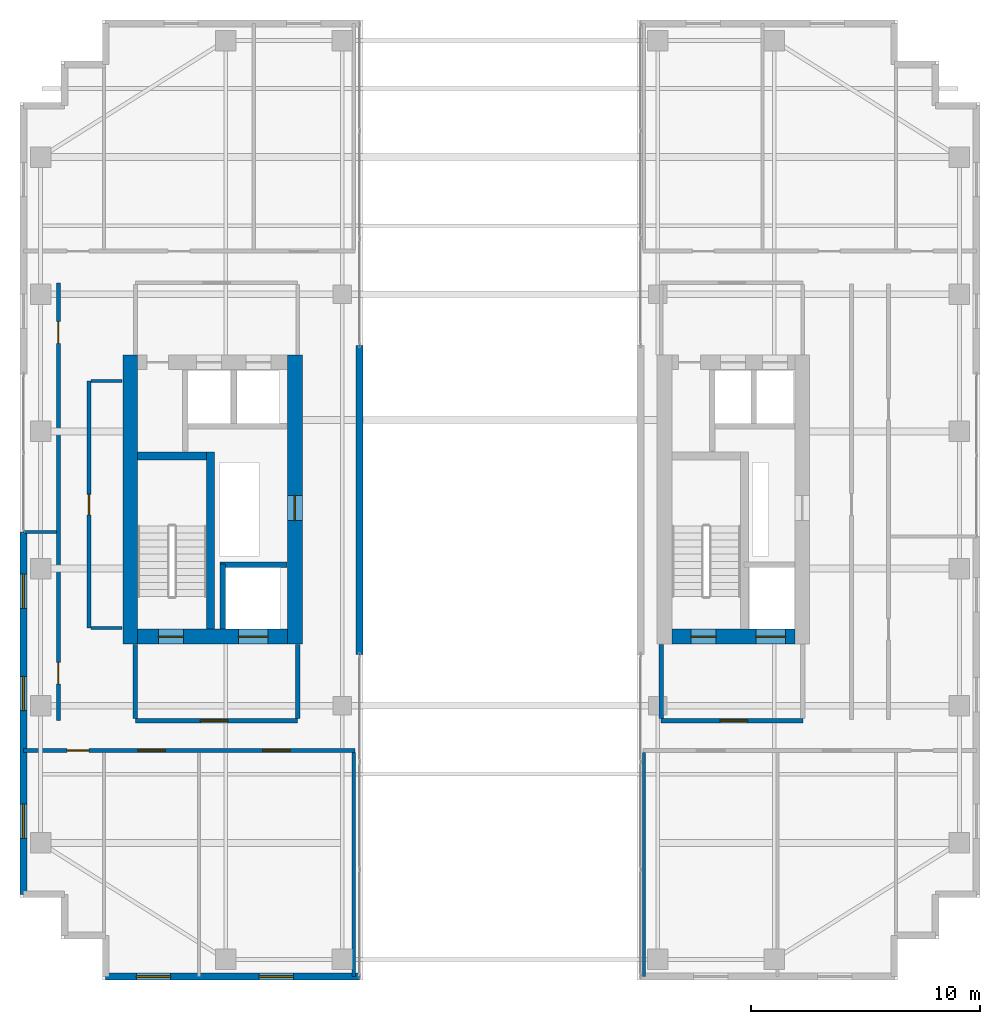
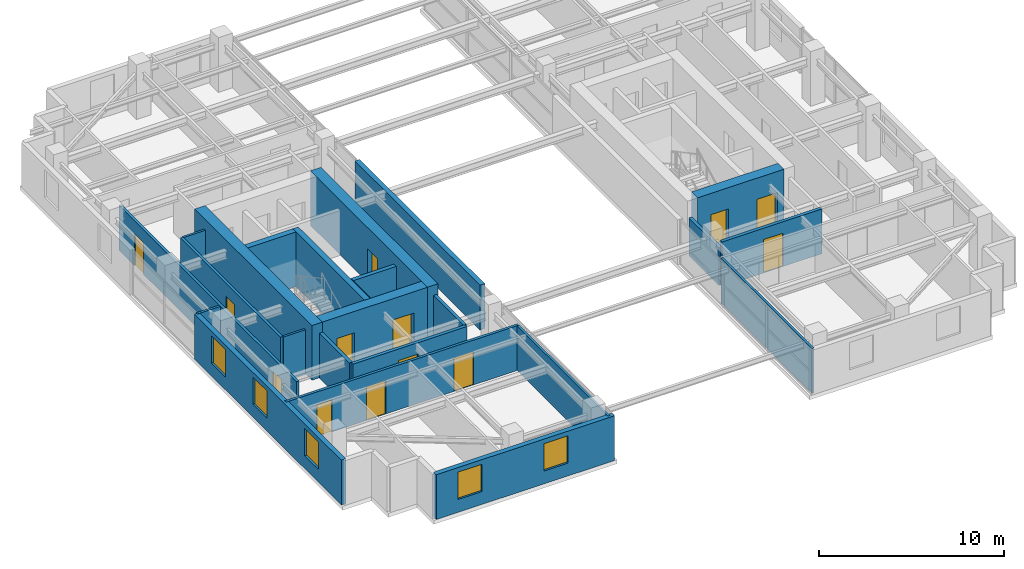
# One storey, part 17 of 21: 24 walls, 13 doors, 5 windows, 18 openings.
"""IFC4 building model written with IfcOpenShell, lengths in metres."""

from ifc_helpers import new_model, si_unit, direction, frame, frame_2d, origin, place, context, subcontext, project, spatial, rectangle, extrude, source, transform, mapped, material, layer, layer_set, type_object, element, fill, save


model = new_model("IFC4")

# Units and contexts
model_context = context("Model", 3, precision=1e-05, world=origin(), true_north=direction((0.0, 1.0)))
body_context = subcontext(model_context, "Body", "Model", "MODEL_VIEW")
ifc_project = project(units=[si_unit("LENGTHUNIT", "METRE"), si_unit("AREAUNIT", "SQUARE_METRE"), si_unit("VOLUMEUNIT", "CUBIC_METRE"), si_unit("PLANEANGLEUNIT", "RADIAN"), si_unit("MASSUNIT", "GRAM", prefix="KILO")], contexts=[model_context])

# Site, building, storey
site_placement = place(None, origin())
site = spatial("IfcSite", under=ifc_project, at=site_placement, CompositionType="ELEMENT")
building_placement = place(site_placement, origin())
building = spatial("IfcBuilding", under=site, at=building_placement, Name="Khoralis Quay Care Tower", CompositionType="ELEMENT")
storey_placement = place(building_placement, frame((0.0, 0.0, 213.300048828125)))
storey = spatial("IfcBuildingStorey", under=building, at=storey_placement, Name="L56", CompositionType="ELEMENT", Elevation=213.300048828125)

# Wall, opening, door
ifc_material_1 = material(Name="Gypsum plasterboard on acoustic metal stud")
ifc_layer_1 = layer(ifc_material_1, 0.199951171875)
ifc_layer_set_1 = layer_set([ifc_layer_1], Name="Gypsum plasterboard on acoustic metal stud")
wall_type_1 = type_object("IfcWallType", Name="WL-COMP-200", PredefinedType="PARTITIONING", material=ifc_layer_set_1)
wall_1_placement = place(storey_placement, frame((8.050048828125, 11.35009765625, 0.0), z_axis=(0.0, 0.0, 1.0), x_axis=(1.0, 0.0, 0.0)))
wall_1 = element("IfcWall", 1, at=wall_1_placement, inside=storey, type_object=wall_type_1, Name="L56 West Firefighting Lobby South Wall", PredefinedType="PARTITIONING", context=body_context, shape_type="SweptSolid", body=[
    extrude(rectangle(XDim=7.099853515625, YDim=0.199951171875, at=frame_2d((3.5498046875, 0.0))), origin(), (0.0, 0.0, 1.0), 2.949951171875),
])
opening_1_placement = place(wall_1_placement, frame((2.846435546875, 0.0, 0.0)))
opening_1 = element("IfcOpeningElement", 2, at=opening_1_placement, cuts=wall_1, Name="Opening FD1", PredefinedType="OPENING", context=body_context, shape_type="SweptSolid", body=[
    extrude(rectangle(XDim=1.199951171875, YDim=2.199951171875, at=frame_2d((0.60009765625, 1.10009765625))), frame((0.0, 0.10986328125, 0.0), z_axis=(0.0, -1.0, 0.0), x_axis=(1.0, 0.0, 0.0)), (0.0, 0.0, 1.0), 0.219970703125),
])
ifc_material_2 = material(Name="Fire-rated painted steel", Category="steel")
door_type_1 = type_object("IfcDoorType", Name="DR-FFL-1200X2200", OperationType="NOTDEFINED", PredefinedType="DOOR", material=ifc_material_2)
shared_shape_1 = source(origin(), body_context, "Body", "SweptSolid", [
    extrude(rectangle(XDim=1.199951171875, YDim=2.199951171875, at=frame_2d((0.60009765625, 1.10009765625))), frame((0.0, 0.02490234375, 0.0), z_axis=(0.0, -1.0, 0.0), x_axis=(1.0, 0.0, 0.0)), (0.0, 0.0, 1.0), 0.050048828125),
])
door_1_placement = place(opening_1_placement, origin())
door_1 = element("IfcDoor", 3, at=door_1_placement, inside=storey, type_object=door_type_1, Name="L56 West Firefighting Lobby Fire Door", OperationType="SINGLE_SWING_RIGHT", OverallHeight=2.199951171875, OverallWidth=1.199951171875, PredefinedType="DOOR", context=body_context, shape_type="MappedRepresentation", body=[
    mapped(shared_shape_1, transform((0.0, 0.0, 0.0), scale=1.0)),
])
fill(opening_1, door_1)

# Walls
for number, where, z_axis, x_axis, name in (
    (4, (8.050048828125, 11.445068359375, 0.0), (0.0, 0.0, 1.0), (0.0, 1.0, 0.0), "L56 West Firefighting Lobby West Wall"),
    (5, (15.14990234375, 11.445068359375, 0.0), (0.0, 0.0, 1.0), (0.0, 1.0, 0.0), "L56 West Firefighting Lobby East Wall"),
):
    element("IfcWall", number, at=place(storey_placement, frame(where, z_axis=z_axis, x_axis=x_axis)), inside=storey, type_object=wall_type_1, Name=name, PredefinedType="PARTITIONING", context=body_context, shape_type="SweptSolid", body=[
        extrude(rectangle(XDim=3.23486328125, YDim=0.199951171875, at=frame_2d((1.617431640625, 0.0))), origin(), (0.0, 0.0, 1.0), 2.949951171875),
    ])

# Wall, opening, door
wall_2_placement = place(storey_placement, frame((31.050048828125, 11.35009765625, 0.0), z_axis=(0.0, 0.0, 1.0), x_axis=(1.0, 0.0, 0.0)))
wall_2 = element("IfcWall", 6, at=wall_2_placement, inside=storey, type_object=wall_type_1, Name="L56 East Firefighting Lobby South Wall", PredefinedType="PARTITIONING", context=body_context, shape_type="SweptSolid", body=[
    extrude(rectangle(XDim=6.199951171875, YDim=0.199951171875, at=frame_2d((3.10009765625, 0.0))), origin(), (0.0, 0.0, 1.0), 2.949951171875),
])
opening_2_placement = place(wall_2_placement, frame((2.585693359375, 0.0, 0.0)))
opening_2 = element("IfcOpeningElement", 7, at=opening_2_placement, cuts=wall_2, Name="Opening FD1", PredefinedType="OPENING", context=body_context, shape_type="SweptSolid", body=[
    extrude(rectangle(XDim=1.199951171875, YDim=2.199951171875, at=frame_2d((0.60009765625, 1.10009765625))), frame((0.0, 0.10986328125, 0.0), z_axis=(0.0, -1.0, 0.0), x_axis=(1.0, 0.0, 0.0)), (0.0, 0.0, 1.0), 0.219970703125),
])
door_2_placement = place(opening_2_placement, origin())
door_2 = element("IfcDoor", 8, at=door_2_placement, inside=storey, type_object=door_type_1, Name="L56 East Firefighting Lobby Fire Door", OperationType="SINGLE_SWING_LEFT", OverallHeight=2.199951171875, OverallWidth=1.199951171875, PredefinedType="DOOR", context=body_context, shape_type="MappedRepresentation", body=[
    mapped(shared_shape_1, transform((0.0, 0.0, 0.0), scale=1.0)),
])
fill(opening_2, door_2)

# Walls
wall_3_placement = place(storey_placement, frame((31.050048828125, 11.445068359375, 0.0), z_axis=(0.0, 0.0, 1.0), x_axis=(0.0, 1.0, 0.0)))
element("IfcWall", 9, at=wall_3_placement, inside=storey, type_object=wall_type_1, Name="L56 East Firefighting Lobby West Wall", PredefinedType="PARTITIONING", context=body_context, shape_type="SweptSolid", body=[
    extrude(rectangle(XDim=3.23486328125, YDim=0.199951171875, at=frame_2d((1.617431640625, 0.0))), origin(), (0.0, 0.0, 1.0), 2.490966796875),
])
ifc_material_3 = material(Name="Concrete C65/80", Category="concrete")
ifc_layer_2 = layer(ifc_material_3, 0.64990234375)
ifc_layer_set_2 = layer_set([ifc_layer_2], Name="Concrete C65/80")
wall_type_2 = type_object("IfcWallType", Name="WL-CORE-650", PredefinedType="SHEAR", material=ifc_layer_set_2)
wall_4_placement = place(storey_placement, frame((7.824951171875, 14.699951171875, 0.0), z_axis=(0.0, 0.0, 1.0), x_axis=(0.0, 1.0, 0.0)))
element("IfcWall", 10, at=wall_4_placement, inside=storey, type_object=wall_type_2, Name="L56 WCORE West Shear Wall", PredefinedType="SHEAR", context=body_context, shape_type="SweptSolid", body=[
    extrude(rectangle(XDim=12.650146484375, YDim=0.64990234375, at=frame_2d((6.3251953125, 0.0))), origin(), (0.0, 0.0, 1.0), 3.599853515625),
])

# Wall, opening, door
wall_5_placement = place(storey_placement, frame((15.02490234375, 14.699951171875, 0.0), z_axis=(0.0, 0.0, 1.0), x_axis=(0.0, 1.0, 0.0)))
wall_5 = element("IfcWall", 11, at=wall_5_placement, inside=storey, type_object=wall_type_2, Name="L56 WCORE East Shear Wall", PredefinedType="SHEAR", context=body_context, shape_type="SweptSolid", body=[
    extrude(rectangle(XDim=12.650146484375, YDim=0.64990234375, at=frame_2d((6.3251953125, 0.0))), origin(), (0.0, 0.0, 1.0), 3.599853515625),
])
opening_3_placement = place(wall_5_placement, frame((5.39990234375, 0.0, 0.0)))
opening_3 = element("IfcOpeningElement", 12, at=opening_3_placement, cuts=wall_5, Name="Opening SD1", PredefinedType="OPENING", context=body_context, shape_type="SweptSolid", body=[
    extrude(rectangle(XDim=1.10009765625, YDim=2.199951171875, at=frame_2d((0.550048828125, 1.10009765625))), frame((0.0, 0.3349609375, 0.0), z_axis=(0.0, -1.0, 0.0), x_axis=(1.0, 0.0, 0.0)), (0.0, 0.0, 1.0), 0.669921875),
])
door_type_2 = type_object("IfcDoorType", Name="DR-STAIR-1100X2200", OperationType="NOTDEFINED", PredefinedType="DOOR", material=ifc_material_2)
shared_shape_2 = source(origin(), body_context, "Body", "SweptSolid", [
    extrude(rectangle(XDim=1.10009765625, YDim=2.199951171875, at=frame_2d((0.550048828125, 1.10009765625))), frame((0.0, 0.02490234375, 0.0), z_axis=(0.0, -1.0, 0.0), x_axis=(1.0, 0.0, 0.0)), (0.0, 0.0, 1.0), 0.050048828125),
])
door_3_placement = place(opening_3_placement, origin())
door_3 = element("IfcDoor", 13, at=door_3_placement, inside=storey, type_object=door_type_2, Name="L56 West MEP Riser Door", OperationType="SINGLE_SWING_RIGHT", OverallHeight=2.199951171875, OverallWidth=1.10009765625, PredefinedType="DOOR", context=body_context, shape_type="MappedRepresentation", body=[
    mapped(shared_shape_2, transform((0.0, 0.0, 0.0), scale=1.0)),
])
fill(opening_3, door_3)

# Wall, openings, doors
wall_6_placement = place(storey_placement, frame((8.14990234375, 15.02490234375, 0.0), z_axis=(0.0, 0.0, 1.0), x_axis=(1.0, 0.0, 0.0)))
wall_6 = element("IfcWall", 14, at=wall_6_placement, inside=storey, type_object=wall_type_2, Name="L56 WCORE South Shear Wall", PredefinedType="SHEAR", context=body_context, shape_type="SweptSolid", body=[
    extrude(rectangle(XDim=6.550048828125, YDim=0.64990234375, at=frame_2d((3.27490234375, 0.0))), origin(), (0.0, 0.0, 1.0), 3.599853515625),
])
opening_4_placement = place(wall_6_placement, frame((0.89990234375, 0.0, 0.0)))
opening_4 = element("IfcOpeningElement", 15, at=opening_4_placement, cuts=wall_6, Name="Opening SD1", PredefinedType="OPENING", context=body_context, shape_type="SweptSolid", body=[
    extrude(rectangle(XDim=1.10009765625, YDim=2.199951171875, at=frame_2d((0.550048828125, 1.10009765625))), frame((0.0, 0.3349609375, 0.0), z_axis=(0.0, -1.0, 0.0), x_axis=(1.0, 0.0, 0.0)), (0.0, 0.0, 1.0), 0.669921875),
])
opening_5_placement = place(wall_6_placement, frame((4.39990234375, 0.0, 0.0)))
opening_5 = element("IfcOpeningElement", 16, at=opening_5_placement, cuts=wall_6, Name="Opening LD2", PredefinedType="OPENING", context=body_context, shape_type="SweptSolid", body=[
    extrude(rectangle(XDim=1.300048828125, YDim=2.199951171875, at=frame_2d((0.64990234375, 1.10009765625))), frame((0.0, 0.3349609375, 0.0), z_axis=(0.0, -1.0, 0.0), x_axis=(1.0, 0.0, 0.0)), (0.0, 0.0, 1.0), 0.669921875),
])
door_4_placement = place(opening_4_placement, origin())
door_4 = element("IfcDoor", 17, at=door_4_placement, inside=storey, type_object=door_type_2, Name="L56 Stair ST-T1 Fire Door", OperationType="SINGLE_SWING_RIGHT", OverallHeight=2.199951171875, OverallWidth=1.10009765625, PredefinedType="DOOR", context=body_context, shape_type="MappedRepresentation", body=[
    mapped(shared_shape_2, transform((0.0, 0.0, 0.0), scale=1.0)),
])
fill(opening_4, door_4)
ifc_material_4 = material(Name="Brushed stainless steel", Category="steel")
door_type_3 = type_object("IfcDoorType", Name="DR-LIFT-1300X2200", OperationType="SLIDING_TO_RIGHT", PredefinedType="DOOR", material=ifc_material_4)
shared_shape_3 = source(origin(), body_context, "Body", "SweptSolid", [
    extrude(rectangle(XDim=1.300048828125, YDim=2.199951171875, at=frame_2d((0.64990234375, 1.10009765625))), frame((0.0, 0.02490234375, 0.0), z_axis=(0.0, -1.0, 0.0), x_axis=(1.0, 0.0, 0.0)), (0.0, 0.0, 1.0), 0.050048828125),
])
door_5_placement = place(opening_5_placement, origin())
door_5 = element("IfcDoor", 18, at=door_5_placement, inside=storey, type_object=door_type_3, Name="L56 Firefighting Lift FFL-1 Landing Door", OperationType="SLIDING_TO_RIGHT", OverallHeight=2.199951171875, OverallWidth=1.300048828125, PredefinedType="DOOR", context=body_context, shape_type="MappedRepresentation", body=[
    mapped(shared_shape_3, transform((0.0, 0.0, 0.0), scale=1.0)),
])
fill(opening_5, door_5)

wall_7_placement = place(storey_placement, frame((31.52001953125, 15.02490234375, 0.0), z_axis=(0.0, 0.0, 1.0), x_axis=(1.0, 0.0, 0.0)))
wall_7 = element("IfcWall", 19, at=wall_7_placement, inside=storey, type_object=wall_type_2, Name="L56 ECORE South Shear Wall", PredefinedType="SHEAR", context=body_context, shape_type="SweptSolid", body=[
    extrude(rectangle(XDim=5.3798828125, YDim=0.64990234375, at=frame_2d((2.68994140625, 0.0))), origin(), (0.0, 0.0, 1.0), 3.599853515625),
])
opening_6_placement = place(wall_7_placement, frame((0.830078125, 0.0, 0.0)))
opening_6 = element("IfcOpeningElement", 20, at=opening_6_placement, cuts=wall_7, Name="Opening SD1", PredefinedType="OPENING", context=body_context, shape_type="SweptSolid", body=[
    extrude(rectangle(XDim=1.10009765625, YDim=2.199951171875, at=frame_2d((0.550048828125, 1.10009765625))), frame((0.0, 0.3349609375, 0.0), z_axis=(0.0, -1.0, 0.0), x_axis=(1.0, 0.0, 0.0)), (0.0, 0.0, 1.0), 0.669921875),
])
opening_7_placement = place(wall_7_placement, frame((3.679931640625, 0.0, 0.0)))
opening_7 = element("IfcOpeningElement", 21, at=opening_7_placement, cuts=wall_7, Name="Opening LD2", PredefinedType="OPENING", context=body_context, shape_type="SweptSolid", body=[
    extrude(rectangle(XDim=1.300048828125, YDim=2.199951171875, at=frame_2d((0.64990234375, 1.10009765625))), frame((0.0, 0.3349609375, 0.0), z_axis=(0.0, -1.0, 0.0), x_axis=(1.0, 0.0, 0.0)), (0.0, 0.0, 1.0), 0.669921875),
])
door_6_placement = place(opening_6_placement, origin())
door_6 = element("IfcDoor", 22, at=door_6_placement, inside=storey, type_object=door_type_2, Name="L56 Stair ST-T2 Fire Door", OperationType="SINGLE_SWING_LEFT", OverallHeight=2.199951171875, OverallWidth=1.10009765625, PredefinedType="DOOR", context=body_context, shape_type="MappedRepresentation", body=[
    mapped(shared_shape_2, transform((0.0, 0.0, 0.0), scale=1.0)),
])
fill(opening_6, door_6)
door_7_placement = place(opening_7_placement, origin())
door_7 = element("IfcDoor", 23, at=door_7_placement, inside=storey, type_object=door_type_3, Name="L56 Firefighting Lift FFL-2 Landing Door", OperationType="SLIDING_TO_RIGHT", OverallHeight=2.199951171875, OverallWidth=1.300048828125, PredefinedType="DOOR", context=body_context, shape_type="MappedRepresentation", body=[
    mapped(shared_shape_3, transform((0.0, 0.0, 0.0), scale=1.0)),
])
fill(opening_7, door_7)

# Wall, opening, door
ifc_layer_3 = layer(ifc_material_1, 0.1650390625)
ifc_layer_set_3 = layer_set([ifc_layer_3], Name="Gypsum plasterboard on acoustic metal stud")
wall_type_3 = type_object("IfcWallType", Name="WL-CORR-165", PredefinedType="PARTITIONING", material=ifc_layer_set_3)
wall_8_placement = place(storey_placement, frame((6.02001953125, 15.39990234375, 0.0), z_axis=(0.0, 0.0, 1.0), x_axis=(0.0, 1.0, 0.0)))
wall_8 = element("IfcWall", 24, at=wall_8_placement, inside=storey, type_object=wall_type_3, Name="L56 West Core Service Flank Wall", PredefinedType="PARTITIONING", context=body_context, shape_type="SweptSolid", body=[
    extrude(rectangle(XDim=10.800048828125, YDim=0.1650390625, at=frame_2d((5.39990234375, 0.0))), origin(), (0.0, 0.0, 1.0), 2.949951171875),
])
opening_8_placement = place(wall_8_placement, frame((4.949951171875, 0.0, 0.0)))
opening_8 = element("IfcOpeningElement", 25, at=opening_8_placement, cuts=wall_8, Name="Opening WD1", PredefinedType="OPENING", context=body_context, shape_type="SweptSolid", body=[
    extrude(rectangle(XDim=0.89990234375, YDim=2.10009765625, at=frame_2d((0.449951171875, 1.050048828125))), frame((0.0, 0.092529296875, 0.0), z_axis=(0.0, -1.0, 0.0), x_axis=(1.0, 0.0, 0.0)), (0.0, 0.0, 1.0), 0.18505859375),
])
ifc_material_5 = material(Name="Acoustic hardwood timber", Category="wood")
door_type_4 = type_object("IfcDoorType", Name="DR-BATH-900X2100", OperationType="NOTDEFINED", PredefinedType="DOOR", material=ifc_material_5)
shared_shape_4 = source(origin(), body_context, "Body", "SweptSolid", [
    extrude(rectangle(XDim=0.89990234375, YDim=2.10009765625, at=frame_2d((0.449951171875, 1.050048828125))), frame((0.0, 0.02490234375, 0.0), z_axis=(0.0, -1.0, 0.0), x_axis=(1.0, 0.0, 0.0)), (0.0, 0.0, 1.0), 0.050048828125),
])
door_8_placement = place(opening_8_placement, frame((0.89990234375, 0.0, 0.0), z_axis=(0.0, 0.0, 1.0), x_axis=(-1.0, 0.0, 0.0)))
door_8 = element("IfcDoor", 26, at=door_8_placement, inside=storey, type_object=door_type_4, Name="L56 Housekeeping & Public Accessible WC Door", OperationType="SINGLE_SWING_LEFT", OverallHeight=2.10009765625, OverallWidth=0.89990234375, PredefinedType="DOOR", context=body_context, shape_type="MappedRepresentation", body=[
    mapped(shared_shape_4, transform((0.0, 0.0, 0.0), scale=1.0)),
])
fill(opening_8, door_8)

# Wall, openings, doors
wall_9_placement = place(storey_placement, frame((3.14501953125, 10.0400390625, 0.0), z_axis=(0.0, 0.0, 1.0), x_axis=(1.0, 0.0, 0.0)))
wall_9 = element("IfcWall", 27, at=wall_9_placement, inside=storey, type_object=wall_type_3, Name="L56 West Wing South Corridor Wall", PredefinedType="PARTITIONING", context=body_context, shape_type="SweptSolid", body=[
    extrude(rectangle(XDim=14.5048828125, YDim=0.1650390625, at=frame_2d((7.25244140625, 0.0))), origin(), (0.0, 0.0, 1.0), 2.949951171875),
])
opening_9_placement = place(wall_9_placement, frame((5.010009765625, 0.0, 0.0)))
opening_9 = element("IfcOpeningElement", 28, at=opening_9_placement, cuts=wall_9, Name="Opening FD1", PredefinedType="OPENING", context=body_context, shape_type="SweptSolid", body=[
    extrude(rectangle(XDim=1.199951171875, YDim=2.199951171875, at=frame_2d((0.60009765625, 1.10009765625))), frame((0.0, 0.092529296875, 0.0), z_axis=(0.0, -1.0, 0.0), x_axis=(1.0, 0.0, 0.0)), (0.0, 0.0, 1.0), 0.18505859375),
])
opening_10_placement = place(wall_9_placement, frame((10.469970703125, 0.0, 0.0)))
opening_10 = element("IfcOpeningElement", 29, at=opening_10_placement, cuts=wall_9, Name="Opening FD1", PredefinedType="OPENING", context=body_context, shape_type="SweptSolid", body=[
    extrude(rectangle(XDim=1.199951171875, YDim=2.199951171875, at=frame_2d((0.60009765625, 1.10009765625))), frame((0.0, 0.092529296875, 0.0), z_axis=(0.0, -1.0, 0.0), x_axis=(1.0, 0.0, 0.0)), (0.0, 0.0, 1.0), 0.18505859375),
])
opening_11_placement = place(wall_9_placement, frame((1.919921875, 0.0, 0.0)))
opening_11 = element("IfcOpeningElement", 30, at=opening_11_placement, cuts=wall_9, Name="Opening ID1", PredefinedType="OPENING", context=body_context, shape_type="SweptSolid", body=[
    extrude(rectangle(XDim=0.949951171875, YDim=2.10009765625, at=frame_2d((0.47509765625, 1.050048828125))), frame((0.0, 0.092529296875, 0.0), z_axis=(0.0, -1.0, 0.0), x_axis=(1.0, 0.0, 0.0)), (0.0, 0.0, 1.0), 0.18505859375),
])
door_9_placement = place(opening_9_placement, frame((1.199951171875, 0.0, 0.0), z_axis=(0.0, 0.0, 1.0), x_axis=(-1.0, 0.0, 0.0)))
door_9 = element("IfcDoor", 31, at=door_9_placement, inside=storey, type_object=door_type_1, Name="L56 Senior Wellness Pharmacy Shop Door", OperationType="DOUBLE_DOOR_SINGLE_SWING", OverallHeight=2.199951171875, OverallWidth=1.199951171875, PredefinedType="DOOR", context=body_context, shape_type="MappedRepresentation", body=[
    mapped(shared_shape_1, transform((0.0, 0.0, 0.0), scale=1.0)),
])
fill(opening_9, door_9)
door_10_placement = place(opening_10_placement, frame((1.199951171875, 0.0, 0.0), z_axis=(0.0, 0.0, 1.0), x_axis=(-1.0, 0.0, 0.0)))
door_10 = element("IfcDoor", 32, at=door_10_placement, inside=storey, type_object=door_type_1, Name="L56 Resident Communal Day Lounge Door", OperationType="DOUBLE_DOOR_SINGLE_SWING", OverallHeight=2.199951171875, OverallWidth=1.199951171875, PredefinedType="DOOR", context=body_context, shape_type="MappedRepresentation", body=[
    mapped(shared_shape_1, transform((0.0, 0.0, 0.0), scale=1.0)),
])
fill(opening_10, door_10)
door_type_5 = type_object("IfcDoorType", Name="DR-ROOM-950X2100", OperationType="NOTDEFINED", PredefinedType="DOOR", material=ifc_material_5)
shared_shape_5 = source(origin(), body_context, "Body", "SweptSolid", [
    extrude(rectangle(XDim=0.949951171875, YDim=2.10009765625, at=frame_2d((0.47509765625, 1.050048828125))), frame((0.0, 0.02490234375, 0.0), z_axis=(0.0, -1.0, 0.0), x_axis=(1.0, 0.0, 0.0)), (0.0, 0.0, 1.0), 0.050048828125),
])
door_11_placement = place(opening_11_placement, frame((0.949951171875, 0.0, 0.0), z_axis=(0.0, 0.0, 1.0), x_axis=(-1.0, 0.0, 0.0)))
door_11 = element("IfcDoor", 33, at=door_11_placement, inside=storey, type_object=door_type_5, Name="L56 SW Corner Door", OperationType="SINGLE_SWING_LEFT", OverallHeight=2.10009765625, OverallWidth=0.949951171875, PredefinedType="DOOR", context=body_context, shape_type="MappedRepresentation", body=[
    mapped(shared_shape_5, transform((0.0, 0.0, 0.0), scale=1.0)),
])
fill(opening_11, door_11)

wall_10_placement = place(storey_placement, frame((4.679931640625, 11.35009765625, 0.0), z_axis=(0.0, 0.0, 1.0), x_axis=(0.0, 1.0, 0.0)))
wall_10 = element("IfcWall", 34, at=wall_10_placement, inside=storey, type_object=wall_type_3, Name="L56 West Mid South Entry Wall", PredefinedType="PARTITIONING", context=body_context, shape_type="SweptSolid", body=[
    extrude(rectangle(XDim=19.14990234375, YDim=0.1650390625, at=frame_2d((9.574951171875, 0.0))), origin(), (0.0, 0.0, 1.0), 2.949951171875),
])
opening_12_placement = place(wall_10_placement, frame((1.60009765625, 0.0, 0.0)))
opening_12 = element("IfcOpeningElement", 35, at=opening_12_placement, cuts=wall_10, Name="Opening ID1", PredefinedType="OPENING", context=body_context, shape_type="SweptSolid", body=[
    extrude(rectangle(XDim=0.949951171875, YDim=2.10009765625, at=frame_2d((0.47509765625, 1.050048828125))), frame((0.0, 0.092529296875, 0.0), z_axis=(0.0, -1.0, 0.0), x_axis=(1.0, 0.0, 0.0)), (0.0, 0.0, 1.0), 0.18505859375),
])
opening_13_placement = place(wall_10_placement, frame((16.5, 0.0, 0.0)))
opening_13 = element("IfcOpeningElement", 36, at=opening_13_placement, cuts=wall_10, Name="Opening ID1", PredefinedType="OPENING", context=body_context, shape_type="SweptSolid", body=[
    extrude(rectangle(XDim=0.949951171875, YDim=2.10009765625, at=frame_2d((0.47509765625, 1.050048828125))), frame((0.0, 0.092529296875, 0.0), z_axis=(0.0, -1.0, 0.0), x_axis=(1.0, 0.0, 0.0)), (0.0, 0.0, 1.0), 0.18505859375),
])
door_12_placement = place(opening_12_placement, frame((0.949951171875, 0.0, 0.0), z_axis=(0.0, 0.0, 1.0), x_axis=(-1.0, 0.0, 0.0)))
door_12 = element("IfcDoor", 37, at=door_12_placement, inside=storey, type_object=door_type_5, Name="L56 West Resident Pharmacy Kiosk Door", OperationType="SINGLE_SWING_LEFT", OverallHeight=2.10009765625, OverallWidth=0.949951171875, PredefinedType="DOOR", context=body_context, shape_type="MappedRepresentation", body=[
    mapped(shared_shape_5, transform((0.0, 0.0, 0.0), scale=1.0)),
])
fill(opening_12, door_12)
door_13_placement = place(opening_13_placement, frame((0.949951171875, 0.0, 0.0), z_axis=(0.0, 0.0, 1.0), x_axis=(-1.0, 0.0, 0.0)))
door_13 = element("IfcDoor", 38, at=door_13_placement, inside=storey, type_object=door_type_5, Name="L56 West Care Coordinator Office Door", OperationType="SINGLE_SWING_RIGHT", OverallHeight=2.10009765625, OverallWidth=0.949951171875, PredefinedType="DOOR", context=body_context, shape_type="MappedRepresentation", body=[
    mapped(shared_shape_5, transform((0.0, 0.0, 0.0), scale=1.0)),
])
fill(opening_13, door_13)

# Wall, openings, windows
ifc_material_6 = material(Name="Precast concrete C45/55", Category="concrete")
ifc_layer_4 = layer(ifc_material_6, 0.300048828125)
ifc_layer_set_4 = layer_set([ifc_layer_4], Name="Precast concrete C45/55")
wall_type_4 = type_object("IfcWallType", Name="WL-EXT-REF-300", PredefinedType="SOLIDWALL", material=ifc_layer_set_4)
wall_11_placement = place(storey_placement, frame((6.75, 0.14990234375, 0.0), z_axis=(0.0, 0.0, 1.0), x_axis=(1.0, 0.0, 0.0)))
wall_11 = element("IfcWall", 39, at=wall_11_placement, inside=storey, type_object=wall_type_4, Name="L56 External Facade Wall WL-EXT-L56-P1-E0", PredefinedType="SOLIDWALL", context=body_context, shape_type="SweptSolid", body=[
    extrude(rectangle(XDim=11.10009765625, YDim=0.300048828125, at=frame_2d((5.550048828125, 0.0))), origin(), (0.0, 0.0, 1.0), 2.949951171875),
])
opening_14_placement = place(wall_11_placement, frame((1.340087890625, 0.0, 0.85009765625)))
opening_14 = element("IfcOpeningElement", 40, at=opening_14_placement, cuts=wall_11, Name="Opening W3", PredefinedType="OPENING", context=body_context, shape_type="SweptSolid", body=[
    extrude(rectangle(XDim=1.5, YDim=1.800048828125, at=frame_2d((0.75, 0.89990234375))), frame((0.0, 0.16015625, 0.0), z_axis=(0.0, -1.0, 0.0), x_axis=(1.0, 0.0, 0.0)), (0.0, 0.0, 1.0), 0.320068359375),
])
opening_15_placement = place(wall_11_placement, frame((6.715087890625, 0.0, 0.85009765625)))
opening_15 = element("IfcOpeningElement", 41, at=opening_15_placement, cuts=wall_11, Name="Opening W3", PredefinedType="OPENING", context=body_context, shape_type="SweptSolid", body=[
    extrude(rectangle(XDim=1.5, YDim=1.800048828125, at=frame_2d((0.75, 0.89990234375))), frame((0.0, 0.16015625, 0.0), z_axis=(0.0, -1.0, 0.0), x_axis=(1.0, 0.0, 0.0)), (0.0, 0.0, 1.0), 0.320068359375),
])
ifc_material_7 = material(Name="Low-E solar-control double glazing", Category="glass")
window_type = type_object("IfcWindowType", Name="WN-CLIN-1500X1800", PartitioningType="SINGLE_PANEL", PredefinedType="WINDOW", material=ifc_material_7)
shared_shape_6 = source(origin(), body_context, "Body", "SweptSolid", [
    extrude(rectangle(XDim=1.5, YDim=1.800048828125, at=frame_2d((0.75, 0.89990234375))), frame((0.0, 0.030029296875, 0.0), z_axis=(0.0, -1.0, 0.0), x_axis=(1.0, 0.0, 0.0)), (0.0, 0.0, 1.0), 0.06005859375),
])
window_1_placement = place(opening_14_placement, origin())
window_1 = element("IfcWindow", 42, at=window_1_placement, inside=storey, type_object=window_type, Name="WN-L56-P1-E0 Facade Window 01", OverallHeight=1.800048828125, OverallWidth=1.5, PartitioningType="SINGLE_PANEL", PredefinedType="WINDOW", context=body_context, shape_type="MappedRepresentation", body=[
    mapped(shared_shape_6, transform((0.0, 0.0, 0.0), scale=1.0)),
])
fill(opening_14, window_1)
window_2_placement = place(opening_15_placement, origin())
window_2 = element("IfcWindow", 43, at=window_2_placement, inside=storey, type_object=window_type, Name="WN-L56-P1-E0 Facade Window 02", OverallHeight=1.800048828125, OverallWidth=1.5, PartitioningType="SINGLE_PANEL", PredefinedType="WINDOW", context=body_context, shape_type="MappedRepresentation", body=[
    mapped(shared_shape_6, transform((0.0, 0.0, 0.0), scale=1.0)),
])
fill(opening_15, window_2)

# Wall
wall_12_placement = place(storey_placement, frame((17.85009765625, 14.25, 0.0), z_axis=(0.0, 0.0, 1.0), x_axis=(0.0, 1.0, 0.0)))
element("IfcWall", 44, at=wall_12_placement, inside=storey, type_object=wall_type_4, Name="L56 External Facade Wall WL-VP-L56-P1-M", PredefinedType="SOLIDWALL", context=body_context, shape_type="SweptSolid", body=[
    extrude(rectangle(XDim=13.5, YDim=0.300048828125, at=frame_2d((6.75, 0.0))), origin(), (0.0, 0.0, 1.0), 2.949951171875),
])

# Wall, openings, windows
wall_13_placement = place(storey_placement, frame((3.14990234375, 19.60009765625, 0.0), z_axis=(0.0, 0.0, 1.0), x_axis=(0.0, -1.0, 0.0)))
wall_13 = element("IfcWall", 45, at=wall_13_placement, inside=storey, type_object=wall_type_4, Name="L56 External Facade Wall WL-EXT-L56-P1-E7B", PredefinedType="SOLIDWALL", context=body_context, shape_type="SweptSolid", body=[
    extrude(rectangle(XDim=15.85009765625, YDim=0.300048828125, at=frame_2d((7.925048828125, 0.0))), origin(), (0.0, 0.0, 1.0), 2.949951171875),
])
opening_16_placement = place(wall_13_placement, frame((1.844970703125, 0.0, 0.85009765625)))
opening_16 = element("IfcOpeningElement", 46, at=opening_16_placement, cuts=wall_13, Name="Opening W3", PredefinedType="OPENING", context=body_context, shape_type="SweptSolid", body=[
    extrude(rectangle(XDim=1.5, YDim=1.800048828125, at=frame_2d((0.75, 0.89990234375))), frame((0.0, 0.16015625, 0.0), z_axis=(0.0, -1.0, 0.0), x_axis=(1.0, 0.0, 0.0)), (0.0, 0.0, 1.0), 0.320068359375),
])
opening_17_placement = place(wall_13_placement, frame((6.31494140625, 0.0, 0.85009765625)))
opening_17 = element("IfcOpeningElement", 47, at=opening_17_placement, cuts=wall_13, Name="Opening W3", PredefinedType="OPENING", context=body_context, shape_type="SweptSolid", body=[
    extrude(rectangle(XDim=1.5, YDim=1.800048828125, at=frame_2d((0.75, 0.89990234375))), frame((0.0, 0.16015625, 0.0), z_axis=(0.0, -1.0, 0.0), x_axis=(1.0, 0.0, 0.0)), (0.0, 0.0, 1.0), 0.320068359375),
])
opening_18_placement = place(wall_13_placement, frame((11.905029296875, 0.0, 0.85009765625)))
opening_18 = element("IfcOpeningElement", 48, at=opening_18_placement, cuts=wall_13, Name="Opening W3", PredefinedType="OPENING", context=body_context, shape_type="SweptSolid", body=[
    extrude(rectangle(XDim=1.5, YDim=1.800048828125, at=frame_2d((0.75, 0.89990234375))), frame((0.0, 0.16015625, 0.0), z_axis=(0.0, -1.0, 0.0), x_axis=(1.0, 0.0, 0.0)), (0.0, 0.0, 1.0), 0.320068359375),
])
window_3_placement = place(opening_16_placement, origin())
window_3 = element("IfcWindow", 49, at=window_3_placement, inside=storey, type_object=window_type, Name="WN-L56-P1-E7B Facade Window 01", OverallHeight=1.800048828125, OverallWidth=1.5, PartitioningType="SINGLE_PANEL", PredefinedType="WINDOW", context=body_context, shape_type="MappedRepresentation", body=[
    mapped(shared_shape_6, transform((0.0, 0.0, 0.0), scale=1.0)),
])
fill(opening_16, window_3)
window_4_placement = place(opening_17_placement, origin())
window_4 = element("IfcWindow", 50, at=window_4_placement, inside=storey, type_object=window_type, Name="WN-L56-P1-E7B Facade Window 02", OverallHeight=1.800048828125, OverallWidth=1.5, PartitioningType="SINGLE_PANEL", PredefinedType="WINDOW", context=body_context, shape_type="MappedRepresentation", body=[
    mapped(shared_shape_6, transform((0.0, 0.0, 0.0), scale=1.0)),
])
fill(opening_17, window_4)
window_5_placement = place(opening_18_placement, origin())
window_5 = element("IfcWindow", 51, at=window_5_placement, inside=storey, type_object=window_type, Name="WN-L56-P1-E7B Facade Window 03", OverallHeight=1.800048828125, OverallWidth=1.5, PartitioningType="SINGLE_PANEL", PredefinedType="WINDOW", context=body_context, shape_type="MappedRepresentation", body=[
    mapped(shared_shape_6, transform((0.0, 0.0, 0.0), scale=1.0)),
])
fill(opening_18, window_5)

# Walls
ifc_material_8 = material(Name="Concrete C40/50", Category="concrete")
ifc_layer_5 = layer(ifc_material_8, 0.35009765625)
ifc_layer_set_5 = layer_set([ifc_layer_5], Name="Concrete C40/50")
wall_type_5 = type_object("IfcWallType", Name="WL-SC-CORE-350", PredefinedType="SHEAR", material=ifc_layer_set_5)
wall_14_placement = place(storey_placement, frame((11.324951171875, 15.35009765625, 0.0), z_axis=(0.0, 0.0, 1.0), x_axis=(0.0, 1.0, 0.0)))
element("IfcWall", 52, at=wall_14_placement, inside=storey, type_object=wall_type_5, Name="L56 Stair ST-T1 Shear Baffle Wall East", PredefinedType="SHEAR", context=body_context, shape_type="SweptSolid", body=[
    extrude(rectangle(XDim=7.75, YDim=0.35009765625, at=frame_2d((3.875, 0.0))), origin(), (0.0, 0.0, 1.0), 3.599853515625),
])
wall_15_placement = place(storey_placement, frame((8.14990234375, 22.925048828125, 0.0), z_axis=(0.0, 0.0, 1.0), x_axis=(1.0, 0.0, 0.0)))
element("IfcWall", 53, at=wall_15_placement, inside=storey, type_object=wall_type_5, Name="L56 Stair ST-T1 Shear Baffle Wall North", PredefinedType="SHEAR", context=body_context, shape_type="SweptSolid", body=[
    extrude(rectangle(XDim=3.0, YDim=0.35009765625, at=frame_2d((1.5, 0.0))), origin(), (0.0, 0.0, 1.0), 3.599853515625),
])
ifc_layer_6 = layer(ifc_material_1, 0.239990234375)
ifc_layer_set_6 = layer_set([ifc_layer_6], Name="Gypsum plasterboard on acoustic metal stud")
wall_type_6 = type_object("IfcWallType", Name="WL-SHAFT-240", PredefinedType="PARTITIONING", material=ifc_layer_set_6)
wall_16_placement = place(storey_placement, frame((11.8798828125, 15.35009765625, 0.0), z_axis=(0.0, 0.0, 1.0), x_axis=(0.0, 1.0, 0.0)))
element("IfcWall", 54, at=wall_16_placement, inside=storey, type_object=wall_type_6, Name="L56 FFL-1 Shaft Wall West", PredefinedType="PARTITIONING", context=body_context, shape_type="SweptSolid", body=[
    extrude(rectangle(XDim=2.849853515625, YDim=0.239990234375, at=frame_2d((1.4248046875, 0.0))), origin(), (0.0, 0.0, 1.0), 2.949951171875),
])
wall_17_placement = place(storey_placement, frame((11.760009765625, 18.169921875, 0.0), z_axis=(0.0, 0.0, 1.0), x_axis=(1.0, 0.0, 0.0)))
element("IfcWall", 55, at=wall_17_placement, inside=storey, type_object=wall_type_6, Name="L56 FFL-1 Shaft Wall North", PredefinedType="PARTITIONING", context=body_context, shape_type="SweptSolid", body=[
    extrude(rectangle(XDim=2.919921875, YDim=0.239990234375, at=frame_2d((1.4599609375, 0.0))), origin(), (0.0, 0.0, 1.0), 2.949951171875),
])
ifc_layer_7 = layer(ifc_material_1, 0.139892578125)
ifc_layer_set_7 = layer_set([ifc_layer_7], Name="Gypsum plasterboard on acoustic metal stud")
wall_type_7 = type_object("IfcWallType", Name="WL-UNIT-140", PredefinedType="PARTITIONING", material=ifc_layer_set_7)
for number, where, z_axis, x_axis, name in (
    (56, (6.097412109375, 15.39990234375, 0.0), (0.0, 0.0, 1.0), (1.0, 0.0, 0.0), "L56 West Flank South Cap"),
    (57, (6.097412109375, 26.199951171875, 0.0), (0.0, 0.0, 1.0), (1.0, 0.0, 0.0), "L56 West Flank North Cap"),
):
    element("IfcWall", number, at=place(storey_placement, frame(where, z_axis=z_axis, x_axis=x_axis)), inside=storey, type_object=wall_type_7, Name=name, PredefinedType="PARTITIONING", context=body_context, shape_type="SweptSolid", body=[
        extrude(rectangle(XDim=1.362548828125, YDim=0.139892578125, at=frame_2d((0.68115234375, 0.0))), origin(), (0.0, 0.0, 1.0), 2.949951171875),
    ])
wall_18_placement = place(storey_placement, frame((3.14501953125, 19.60009765625, 0.0), z_axis=(0.0, 0.0, 1.0), x_axis=(1.0, 0.0, 0.0)))
element("IfcWall", 58, at=wall_18_placement, inside=storey, type_object=wall_type_7, Name="L56 West Mid Split", PredefinedType="PARTITIONING", context=body_context, shape_type="SweptSolid", body=[
    extrude(rectangle(XDim=1.45751953125, YDim=0.139892578125, at=frame_2d((0.728759765625, 0.0))), origin(), (0.0, 0.0, 1.0), 2.949951171875),
])
for number, where, z_axis, x_axis, name in (
    (59, (17.60009765625, 0.14501953125, 0.0), (0.0, 0.0, 1.0), (0.0, 1.0, 0.0), "L56 WS Demising Wall 2"),
    (60, (30.300048828125, 0.14501953125, 0.0), (0.0, 0.0, 1.0), (0.0, 1.0, 0.0), "L56 ES Demising Wall 0"),
):
    element("IfcWall", number, at=place(storey_placement, frame(where, z_axis=z_axis, x_axis=x_axis)), inside=storey, type_object=wall_type_7, Name=name, PredefinedType="PARTITIONING", context=body_context, shape_type="SweptSolid", body=[
        extrude(rectangle(XDim=9.8173828125, YDim=0.139892578125, at=frame_2d((4.90869140625, 0.0))), origin(), (0.0, 0.0, 1.0), 2.949951171875),
    ])

save(model, "model.ifc")
